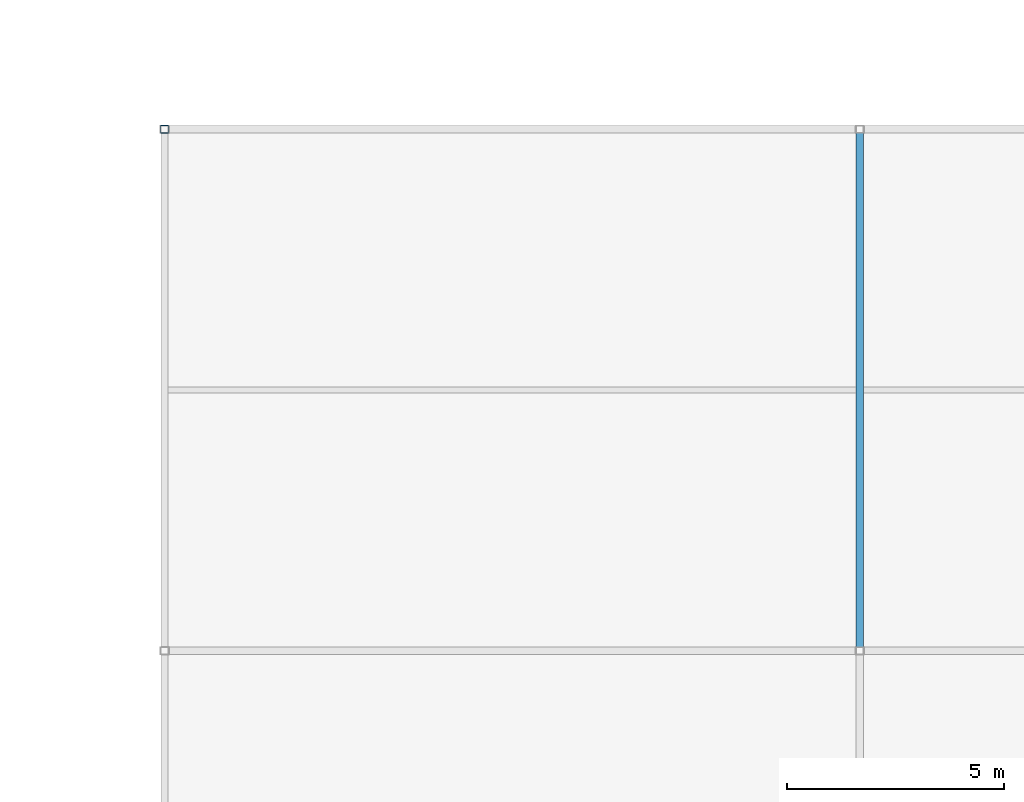
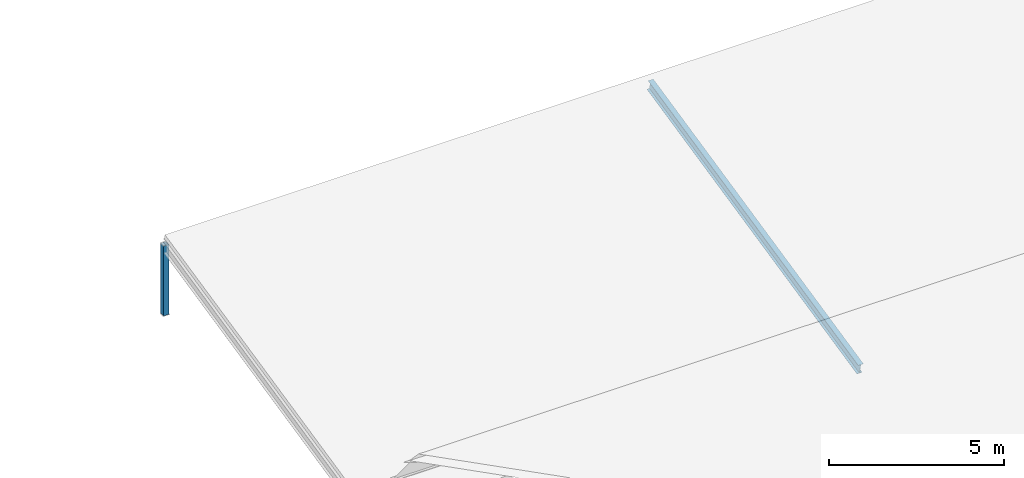
# One storey, part 14 of 31: 2 members.
"""IFC4 building model written with IfcOpenShell, lengths in metres."""

from ifc_helpers import new_model, si_unit, direction, frame, origin, origin_2d, place, context, subcontext, project, spatial, hollow_rectangle, i_section, extrude, material, material_profile, profile_set, type_object, element, save


model = new_model("IFC4")

# Units and contexts
model_context = context("Model", 3, precision=1e-05, world=origin(), true_north=direction((0.0, 1.0)))
body_context = subcontext(model_context, "Body", "Model", "MODEL_VIEW")
ifc_project = project(units=[si_unit("LENGTHUNIT", "METRE"), si_unit("AREAUNIT", "SQUARE_METRE"), si_unit("VOLUMEUNIT", "CUBIC_METRE"), si_unit("PLANEANGLEUNIT", "RADIAN"), si_unit("MASSUNIT", "GRAM", prefix="KILO")], contexts=[model_context])

# Site, building, storey
site_placement = place(None, origin())
site = spatial("IfcSite", under=ifc_project, at=site_placement, CompositionType="ELEMENT")
building_placement = place(site_placement, origin())
building = spatial("IfcBuilding", under=site, at=building_placement, Name="Celadon Cloister-Ring School", CompositionType="ELEMENT")
storey_placement = place(building_placement, frame((0.0, 0.0, 16.5)))
storey = spatial("IfcBuildingStorey", under=building, at=storey_placement, Name="L04", CompositionType="ELEMENT", Elevation=16.5)

# Members
ifc_material_1 = material(Name="Structural steel S355JR", Category="steel")
ifc_material_profile_1 = material_profile(ifc_material_1, hollow_rectangle(XDim=0.179931640625, YDim=0.179931640625, WallThickness=0.008056640625, at=origin_2d()), Name="HSS180X180X8")
ifc_profile_set_1 = profile_set([ifc_material_profile_1], Name="Structural steel S355JR")
member_type_1 = type_object("IfcMemberType", Name="MB-04", PredefinedType="BRACE", material=ifc_profile_set_1)
member_1_placement = place(storey_placement, frame((142.0, 60.0, -0.10009765625), z_axis=(0.0, 0.0, 1.0), x_axis=(1.0, 0.0, 0.0)))
element("IfcMember", 1, at=member_1_placement, inside=storey, type_object=member_type_1, Name="Structural Member 0598", PredefinedType="BRACE", context=body_context, shape_type="SweptSolid", body=[
    extrude(hollow_rectangle(XDim=0.179931640625, YDim=0.179931640625, WallThickness=0.008056640625, at=origin_2d()), origin(), (0.0, 0.0, 1.0), 2.43701171875),
])
ifc_material_2 = material(Name="Structural steel S355JR", Category="steel")
ifc_material_profile_2 = material_profile(ifc_material_2, i_section(OverallWidth=0.1708984375, OverallDepth=0.35498046875, WebThickness=0.007080078125, FlangeThickness=0.01171875, at=origin_2d()), Name="W360X51")
ifc_profile_set_2 = profile_set([ifc_material_profile_2], Name="Structural steel S355JR")
member_type_2 = type_object("IfcMemberType", Name="MR-05", PredefinedType="RAFTER", material=ifc_profile_set_2)
member_2_placement = place(storey_placement, frame((158.0, 48.0, -0.35302734375), z_axis=(0.0, 0.976470892776, 0.215649241966), x_axis=(-1.0, 0.0, 0.0)))
element("IfcMember", 2, at=member_2_placement, inside=storey, type_object=member_type_2, Name="Structural Member 0601", PredefinedType="RAFTER", context=body_context, shape_type="SweptSolid", body=[
    extrude(i_section(OverallWidth=0.1708984375, OverallDepth=0.35498046875, WebThickness=0.007080078125, FlangeThickness=0.01171875, at=origin_2d()), origin(), (0.0, 0.0, 1.0), 12.2890625),
])

save(model, "model.ifc")
